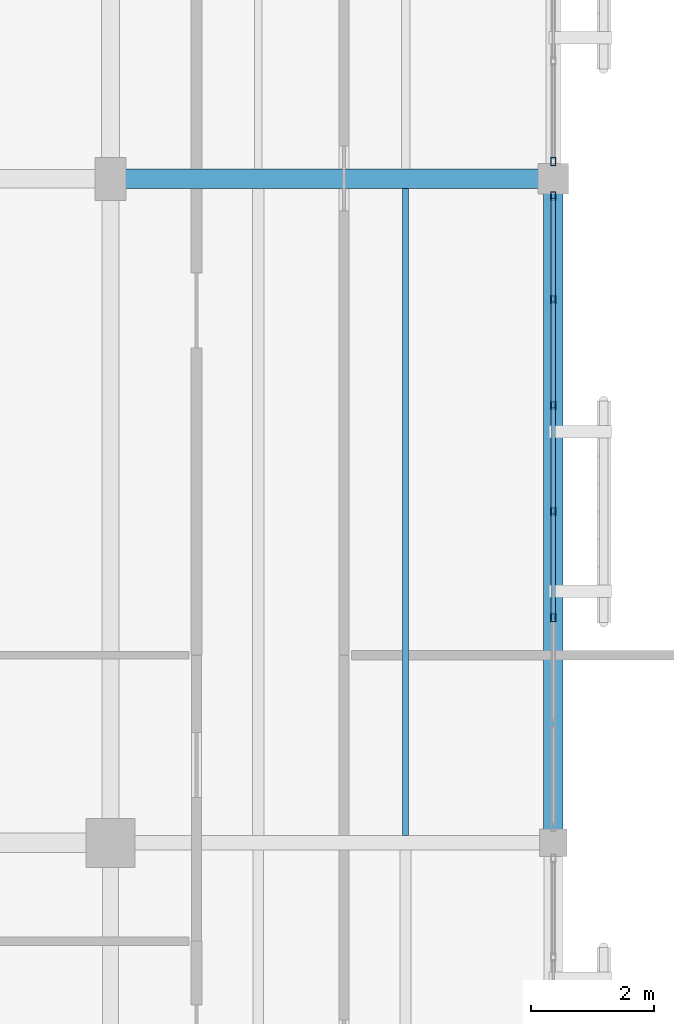
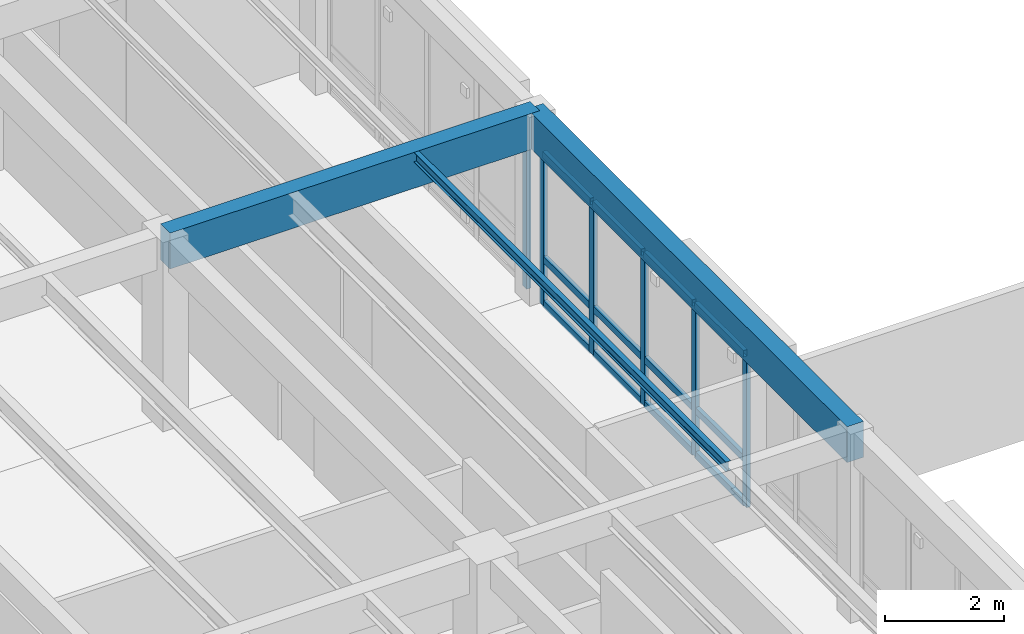
# One storey, part 34 of 170: 18 members, 3 beams, 2 elements without a shape of their own.
"""IFC4 building model written with IfcOpenShell, lengths in metres."""

from ifc_helpers import new_model, si_unit, direction, frame, origin, origin_2d, place, context, subcontext, project, spatial, rectangle, hollow_rectangle, i_section, extrude, material, layer, layer_set, material_profile, profile_set, type_object, element, aggregate, save


model = new_model("IFC4")

# Units and contexts
model_context = context("Model", 3, precision=1e-05, world=origin(), true_north=direction((0.0, 1.0)))
body_context = subcontext(model_context, "Body", "Model", "MODEL_VIEW")
ifc_project = project(units=[si_unit("LENGTHUNIT", "METRE"), si_unit("AREAUNIT", "SQUARE_METRE"), si_unit("VOLUMEUNIT", "CUBIC_METRE"), si_unit("PLANEANGLEUNIT", "RADIAN"), si_unit("MASSUNIT", "GRAM", prefix="KILO")], contexts=[model_context])

# Site, building, storey
site_placement = place(None, origin())
site = spatial("IfcSite", under=ifc_project, at=site_placement, CompositionType="ELEMENT")
building_placement = place(site_placement, origin())
building = spatial("IfcBuilding", under=site, at=building_placement, Name="Mazaris Harbour Polytechnic", CompositionType="ELEMENT")
storey_placement = place(building_placement, frame((0.0, 0.0, 5.39990234375)))
storey = spatial("IfcBuildingStorey", under=building, at=storey_placement, Name="L01", CompositionType="ELEMENT", Elevation=5.39990234375)

# Curtain wall, members
ifc_material_1 = material(Name="Anodised Bronze Aluminium and Low-E Glass", Category="aluminium")
ifc_layer = layer(ifc_material_1, 0.159912109375, Name="Anodised Bronze Aluminium and Low-E Glass")
ifc_layer_set = layer_set([ifc_layer], Name="Anodised Bronze Aluminium and Low-E Glass")
curtain_wall_type = type_object("IfcCurtainWallType", Name="Cloister Court Curtain Wall", PredefinedType="NOTDEFINED", material=ifc_layer_set)
curtain_wall_1_placement = place(storey_placement, origin())
curtain_wall_1 = element("IfcCurtainWall", 1, at=curtain_wall_1_placement, inside=storey, type_object=curtain_wall_type, Name="V4 L01 Curtain Wall 121", PredefinedType="NOTDEFINED")
ifc_material_2 = material(Name="Anodised Bronze Steel S355", Category="steel")
ifc_material_profile_1 = material_profile(ifc_material_2, hollow_rectangle(XDim=0.080078125, YDim=0.139892578125, WallThickness=0.00634765625, at=origin_2d()), Name="RHS 80x140x6.3")
ifc_profile_set_1 = profile_set([ifc_material_profile_1], Name="Anodised Bronze Steel S355")
member_type_1 = type_object("IfcMemberType", Name="Curtain Mullion RHS80x140", PredefinedType="MULLION", material=ifc_profile_set_1)
member_1_placement = place(storey_placement, frame((14.39990234375, 46.864013671875, 0.0), z_axis=(0.0, 0.0, 1.0), x_axis=(-1.0, 0.0, 0.0)))
member_1 = element("IfcMember", 2, at=member_1_placement, type_object=member_type_1, Name="CW-02 mullion 3", PredefinedType="MULLION", context=body_context, shape_type="SweptSolid", body=[
    extrude(hollow_rectangle(XDim=0.080078125, YDim=0.139892578125, WallThickness=0.00634765625, at=origin_2d()), origin(), (0.0, 0.0, 1.0), 3.14013671875),
])
member_2_placement = place(storey_placement, frame((14.39990234375, 48.58740234375, 0.0), z_axis=(0.0, 0.0, 1.0), x_axis=(-1.0, 0.0, 0.0)))
member_2 = element("IfcMember", 3, at=member_2_placement, type_object=member_type_1, Name="CW-02 mullion 4", PredefinedType="MULLION", context=body_context, shape_type="SweptSolid", body=[
    extrude(hollow_rectangle(XDim=0.080078125, YDim=0.139892578125, WallThickness=0.00634765625, at=origin_2d()), origin(), (0.0, 0.0, 1.0), 3.14013671875),
])
member_3_placement = place(storey_placement, frame((14.39990234375, 50.31103515625, 0.0), z_axis=(0.0, 0.0, 1.0), x_axis=(-1.0, 0.0, 0.0)))
member_3 = element("IfcMember", 4, at=member_3_placement, type_object=member_type_1, Name="CW-02 mullion 5", PredefinedType="MULLION", context=body_context, shape_type="SweptSolid", body=[
    extrude(hollow_rectangle(XDim=0.080078125, YDim=0.139892578125, WallThickness=0.00634765625, at=origin_2d()), origin(), (0.0, 0.0, 1.0), 3.14013671875),
])
member_4_placement = place(storey_placement, frame((14.39990234375, 52.034423828125, 0.0), z_axis=(0.0, 0.0, 1.0), x_axis=(-1.0, 0.0, 0.0)))
member_4 = element("IfcMember", 5, at=member_4_placement, type_object=member_type_1, Name="CW-02 mullion 6", PredefinedType="MULLION", context=body_context, shape_type="SweptSolid", body=[
    extrude(hollow_rectangle(XDim=0.080078125, YDim=0.139892578125, WallThickness=0.00634765625, at=origin_2d()), origin(), (0.0, 0.0, 1.0), 3.14013671875),
])
member_5_placement = place(storey_placement, frame((14.39990234375, 53.718017578125, 0.0), z_axis=(0.0, 0.0, 1.0), x_axis=(-1.0, 0.0, 0.0)))
member_5 = element("IfcMember", 6, at=member_5_placement, type_object=member_type_1, Name="CW-02 mullion 7", PredefinedType="MULLION", context=body_context, shape_type="SweptSolid", body=[
    extrude(hollow_rectangle(XDim=0.080078125, YDim=0.139892578125, WallThickness=0.00634765625, at=origin_2d()), origin(), (0.0, 0.0, 1.0), 3.14013671875),
])

# Curtain wall, member
curtain_wall_2_placement = place(storey_placement, origin())
curtain_wall_2 = element("IfcCurtainWall", 7, at=curtain_wall_2_placement, inside=storey, type_object=curtain_wall_type, Name="V4 L01 Curtain Wall 122", PredefinedType="NOTDEFINED")
member_6_placement = place(storey_placement, frame((14.39990234375, 54.281982421875, 0.0), z_axis=(0.0, 0.0, 1.0), x_axis=(-1.0, 0.0, 0.0)))
member_6 = element("IfcMember", 8, at=member_6_placement, type_object=member_type_1, Name="CW-02 mullion 1", PredefinedType="MULLION", context=body_context, shape_type="SweptSolid", body=[
    extrude(hollow_rectangle(XDim=0.080078125, YDim=0.139892578125, WallThickness=0.00634765625, at=origin_2d()), origin(), (0.0, 0.0, 1.0), 3.360107421875),
])
aggregate(curtain_wall_2, [member_6])

# Member
ifc_material_3 = material(Name="Anodised Bronze Steel S355", Category="steel")
ifc_material_profile_2 = material_profile(ifc_material_3, hollow_rectangle(XDim=0.080078125, YDim=0.139892578125, WallThickness=0.00634765625, at=origin_2d()), Name="RHS 80x140x6.3")
ifc_profile_set_2 = profile_set([ifc_material_profile_2], Name="Anodised Bronze Steel S355")
member_type_2 = type_object("IfcMemberType", Name="Curtain Transom RHS80x140", PredefinedType="USERDEFINED", material=ifc_profile_set_2)
member_7_placement = place(storey_placement, frame((14.39990234375, 46.904052734375, 0.0400390625), z_axis=(0.0, 1.0, 0.0), x_axis=(-1.0, 0.0, 0.0)))
member_7 = element("IfcMember", 9, at=member_7_placement, type_object=member_type_2, Name="CW-02 transom 3.1", ObjectType="TRANSOM", PredefinedType="USERDEFINED", context=body_context, shape_type="SweptSolid", body=[
    extrude(hollow_rectangle(XDim=0.080078125, YDim=0.139892578125, WallThickness=0.00634765625, at=origin_2d()), origin(), (0.0, 0.0, 1.0), 1.6435546875),
])

member_8_placement = place(storey_placement, frame((14.39990234375, 46.904052734375, 0.9501953125), z_axis=(0.0, 1.0, 0.0), x_axis=(-1.0, 0.0, 0.0)))
member_8 = element("IfcMember", 10, at=member_8_placement, type_object=member_type_2, Name="CW-02 transom 3.2", ObjectType="TRANSOM", PredefinedType="USERDEFINED", context=body_context, shape_type="SweptSolid", body=[
    extrude(hollow_rectangle(XDim=0.080078125, YDim=0.139892578125, WallThickness=0.00634765625, at=origin_2d()), origin(), (0.0, 0.0, 1.0), 1.6435546875),
])

member_9_placement = place(storey_placement, frame((14.39990234375, 46.904052734375, 3.10009765625), z_axis=(0.0, 1.0, 0.0), x_axis=(-1.0, 0.0, 0.0)))
member_9 = element("IfcMember", 11, at=member_9_placement, type_object=member_type_2, Name="CW-02 transom 3.3", ObjectType="TRANSOM", PredefinedType="USERDEFINED", context=body_context, shape_type="SweptSolid", body=[
    extrude(hollow_rectangle(XDim=0.080078125, YDim=0.139892578125, WallThickness=0.00634765625, at=origin_2d()), origin(), (0.0, 0.0, 1.0), 1.6435546875),
])

member_10_placement = place(storey_placement, frame((14.39990234375, 48.62744140625, 0.0400390625), z_axis=(0.0, 1.0, 0.0), x_axis=(-1.0, 0.0, 0.0)))
member_10 = element("IfcMember", 12, at=member_10_placement, type_object=member_type_2, Name="CW-02 transom 4.1", ObjectType="TRANSOM", PredefinedType="USERDEFINED", context=body_context, shape_type="SweptSolid", body=[
    extrude(hollow_rectangle(XDim=0.080078125, YDim=0.139892578125, WallThickness=0.00634765625, at=origin_2d()), origin(), (0.0, 0.0, 1.0), 1.6435546875),
])

member_11_placement = place(storey_placement, frame((14.39990234375, 48.62744140625, 0.9501953125), z_axis=(0.0, 1.0, 0.0), x_axis=(-1.0, 0.0, 0.0)))
member_11 = element("IfcMember", 13, at=member_11_placement, type_object=member_type_2, Name="CW-02 transom 4.2", ObjectType="TRANSOM", PredefinedType="USERDEFINED", context=body_context, shape_type="SweptSolid", body=[
    extrude(hollow_rectangle(XDim=0.080078125, YDim=0.139892578125, WallThickness=0.00634765625, at=origin_2d()), origin(), (0.0, 0.0, 1.0), 1.6435546875),
])

member_12_placement = place(storey_placement, frame((14.39990234375, 48.62744140625, 3.10009765625), z_axis=(0.0, 1.0, 0.0), x_axis=(-1.0, 0.0, 0.0)))
member_12 = element("IfcMember", 14, at=member_12_placement, type_object=member_type_2, Name="CW-02 transom 4.3", ObjectType="TRANSOM", PredefinedType="USERDEFINED", context=body_context, shape_type="SweptSolid", body=[
    extrude(hollow_rectangle(XDim=0.080078125, YDim=0.139892578125, WallThickness=0.00634765625, at=origin_2d()), origin(), (0.0, 0.0, 1.0), 1.6435546875),
])

member_13_placement = place(storey_placement, frame((14.39990234375, 50.35107421875, 0.0400390625), z_axis=(0.0, 1.0, 0.0), x_axis=(-1.0, 0.0, 0.0)))
member_13 = element("IfcMember", 15, at=member_13_placement, type_object=member_type_2, Name="CW-02 transom 5.1", ObjectType="TRANSOM", PredefinedType="USERDEFINED", context=body_context, shape_type="SweptSolid", body=[
    extrude(hollow_rectangle(XDim=0.080078125, YDim=0.139892578125, WallThickness=0.00634765625, at=origin_2d()), origin(), (0.0, 0.0, 1.0), 1.643310546875),
])

member_14_placement = place(storey_placement, frame((14.39990234375, 50.35107421875, 0.9501953125), z_axis=(0.0, 1.0, 0.0), x_axis=(-1.0, 0.0, 0.0)))
member_14 = element("IfcMember", 16, at=member_14_placement, type_object=member_type_2, Name="CW-02 transom 5.2", ObjectType="TRANSOM", PredefinedType="USERDEFINED", context=body_context, shape_type="SweptSolid", body=[
    extrude(hollow_rectangle(XDim=0.080078125, YDim=0.139892578125, WallThickness=0.00634765625, at=origin_2d()), origin(), (0.0, 0.0, 1.0), 1.643310546875),
])

member_15_placement = place(storey_placement, frame((14.39990234375, 50.35107421875, 3.10009765625), z_axis=(0.0, 1.0, 0.0), x_axis=(-1.0, 0.0, 0.0)))
member_15 = element("IfcMember", 17, at=member_15_placement, type_object=member_type_2, Name="CW-02 transom 5.3", ObjectType="TRANSOM", PredefinedType="USERDEFINED", context=body_context, shape_type="SweptSolid", body=[
    extrude(hollow_rectangle(XDim=0.080078125, YDim=0.139892578125, WallThickness=0.00634765625, at=origin_2d()), origin(), (0.0, 0.0, 1.0), 1.643310546875),
])

member_16_placement = place(storey_placement, frame((14.39990234375, 52.074462890625, 0.0400390625), z_axis=(0.0, 1.0, 0.0), x_axis=(-1.0, 0.0, 0.0)))
member_16 = element("IfcMember", 18, at=member_16_placement, type_object=member_type_2, Name="CW-02 transom 6.1", ObjectType="TRANSOM", PredefinedType="USERDEFINED", context=body_context, shape_type="SweptSolid", body=[
    extrude(hollow_rectangle(XDim=0.080078125, YDim=0.139892578125, WallThickness=0.00634765625, at=origin_2d()), origin(), (0.0, 0.0, 1.0), 1.603515625),
])

member_17_placement = place(storey_placement, frame((14.39990234375, 52.074462890625, 0.9501953125), z_axis=(0.0, 1.0, 0.0), x_axis=(-1.0, 0.0, 0.0)))
member_17 = element("IfcMember", 19, at=member_17_placement, type_object=member_type_2, Name="CW-02 transom 6.2", ObjectType="TRANSOM", PredefinedType="USERDEFINED", context=body_context, shape_type="SweptSolid", body=[
    extrude(hollow_rectangle(XDim=0.080078125, YDim=0.139892578125, WallThickness=0.00634765625, at=origin_2d()), origin(), (0.0, 0.0, 1.0), 1.603515625),
])

member_18_placement = place(storey_placement, frame((14.39990234375, 52.074462890625, 3.10009765625), z_axis=(0.0, 1.0, 0.0), x_axis=(-1.0, 0.0, 0.0)))
member_18 = element("IfcMember", 20, at=member_18_placement, type_object=member_type_2, Name="CW-02 transom 6.3", ObjectType="TRANSOM", PredefinedType="USERDEFINED", context=body_context, shape_type="SweptSolid", body=[
    extrude(hollow_rectangle(XDim=0.080078125, YDim=0.139892578125, WallThickness=0.00634765625, at=origin_2d()), origin(), (0.0, 0.0, 1.0), 1.603515625),
])

aggregate(curtain_wall_1, [member_1, member_2, member_3, member_4, member_5, member_7, member_8, member_9, member_10, member_11, member_12, member_13, member_14, member_15, member_16, member_17, member_18])

# Beams
ifc_material_4 = material(Name="Glulam GL32h", Category="wood")
ifc_material_profile_3 = material_profile(ifc_material_4, rectangle(XDim=0.320068359375, YDim=0.739990234375, at=origin_2d()), Name="RECT320x740")
ifc_profile_set_3 = profile_set([ifc_material_profile_3], Name="Glulam GL32h")
beam_type_1 = type_object("IfcBeamType", Name="Glulam Girder 320x740", PredefinedType="BEAM", material=ifc_profile_set_3)
beam_1_placement = place(storey_placement, frame((7.199951171875, 54.0, 3.52001953125), z_axis=(1.0, 0.0, 0.0), x_axis=(0.0, 1.0, 0.0)))
element("IfcBeam", 21, at=beam_1_placement, inside=storey, type_object=beam_type_1, Name="V4 L01 Girder 1659", PredefinedType="BEAM", context=body_context, shape_type="SweptSolid", body=[
    extrude(rectangle(XDim=0.320068359375, YDim=0.739990234375, at=origin_2d()), origin(), (0.0, 0.0, 1.0), 7.199951171875),
])
beam_2_placement = place(storey_placement, frame((14.39990234375, 43.199951171875, 3.52001953125), z_axis=(0.0, 1.0, 0.0), x_axis=(-1.0, 0.0, 0.0)))
element("IfcBeam", 22, at=beam_2_placement, inside=storey, type_object=beam_type_1, Name="V4 L01 Tie Girder 1724", PredefinedType="BEAM", context=body_context, shape_type="SweptSolid", body=[
    extrude(rectangle(XDim=0.320068359375, YDim=0.739990234375, at=origin_2d()), origin(), (0.0, 0.0, 1.0), 10.800048828125),
])
ifc_material_5 = material(Name="Steel S355", Category="steel")
ifc_material_profile_4 = material_profile(ifc_material_5, i_section(OverallWidth=0.10009765625, OverallDepth=0.199951171875, WebThickness=0.005615234375, FlangeThickness=0.008544921875, FilletRadius=0.011962890625, at=origin_2d()), Name="IPE 200")
ifc_profile_set_4 = profile_set([ifc_material_profile_4], Name="Steel S355")
beam_type_2 = type_object("IfcBeamType", Name="Steel Joist IPE200", PredefinedType="JOIST", material=ifc_profile_set_4)
beam_3_placement = place(storey_placement, frame((12.0, 43.320068359375, 3.7900390625), z_axis=(0.0, 1.0, 0.0), x_axis=(-1.0, 0.0, 0.0)))
element("IfcBeam", 23, at=beam_3_placement, inside=storey, type_object=beam_type_2, Name="V4 L01 Floor Joist 1806", PredefinedType="JOIST", context=body_context, shape_type="SweptSolid", body=[
    extrude(i_section(OverallWidth=0.10009765625, OverallDepth=0.199951171875, WebThickness=0.005615234375, FlangeThickness=0.008544921875, FilletRadius=0.011962890625, at=origin_2d()), origin(), (0.0, 0.0, 1.0), 10.52001953125),
])

save(model, "model.ifc")
